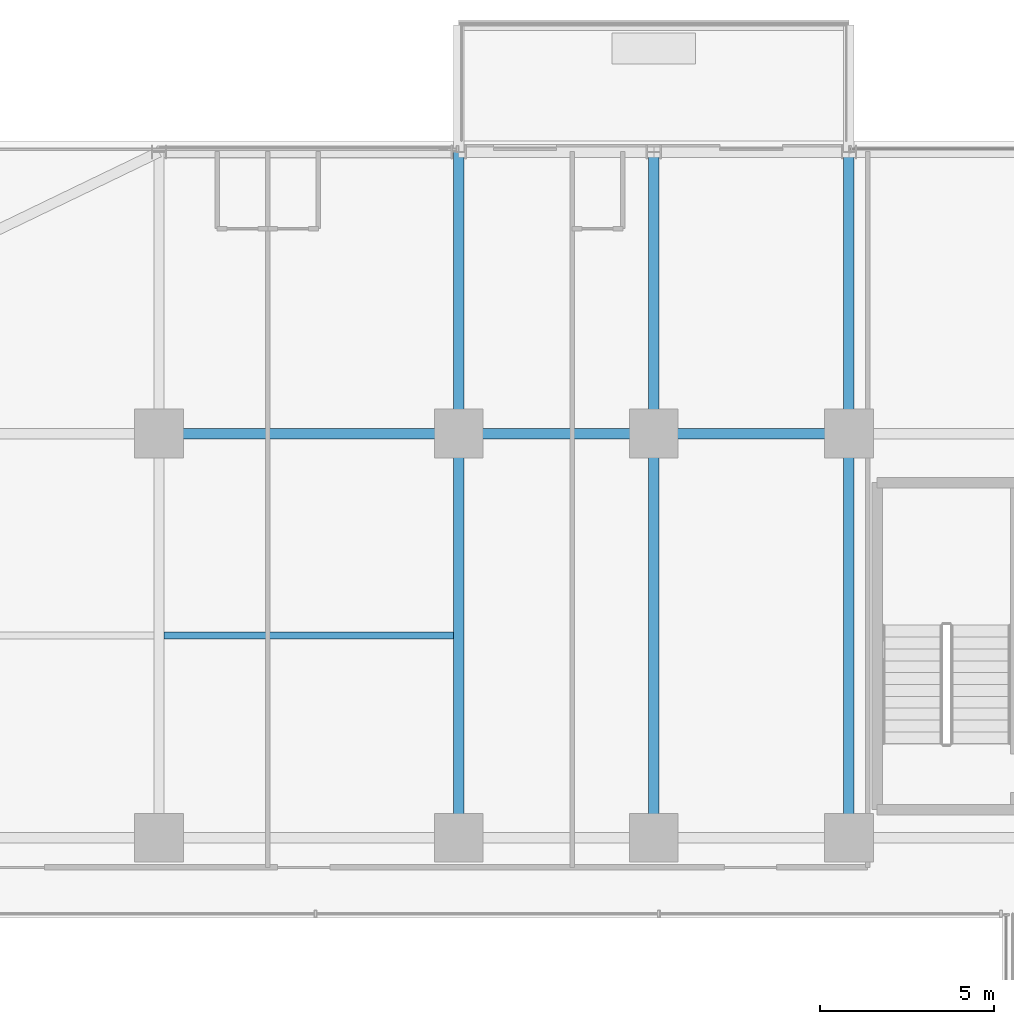
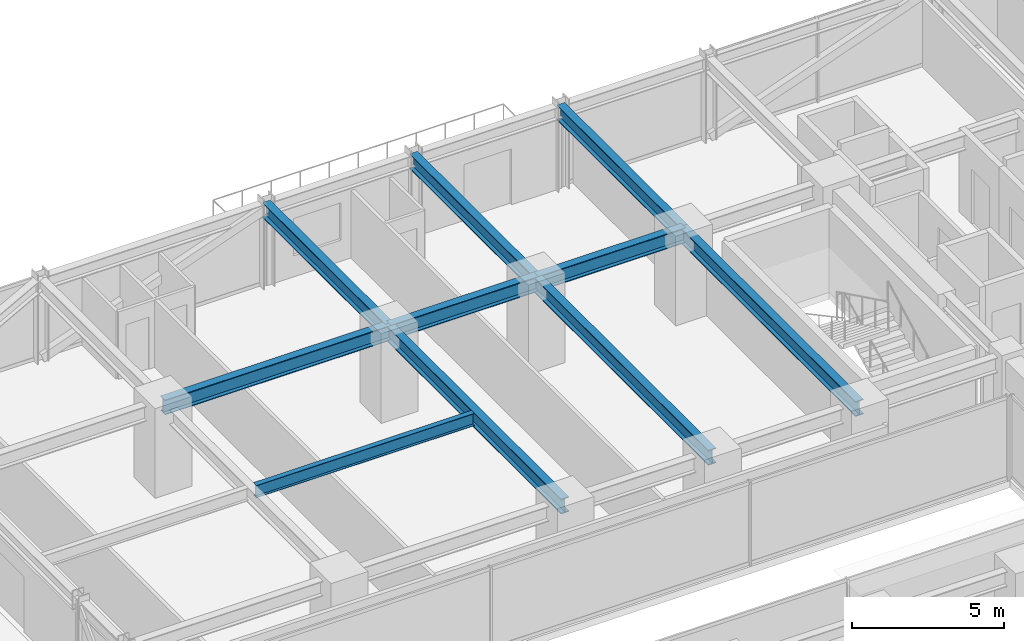
# One storey, part 23 of 43: 10 beams.
"""IFC4 building model written with IfcOpenShell, lengths in metres."""

from ifc_helpers import new_model, si_unit, direction, frame, origin, origin_2d, place, context, subcontext, project, spatial, i_section, extrude, source, transform, mapped, material, material_profile, profile_set, type_object, element, save


model = new_model("IFC4")

# Units and contexts
model_context = context("Model", 3, precision=1e-05, world=origin(), true_north=direction((0.0, 1.0)))
body_context = subcontext(model_context, "Body", "Model", "MODEL_VIEW")
ifc_project = project(units=[si_unit("LENGTHUNIT", "METRE"), si_unit("AREAUNIT", "SQUARE_METRE"), si_unit("VOLUMEUNIT", "CUBIC_METRE"), si_unit("PLANEANGLEUNIT", "RADIAN"), si_unit("MASSUNIT", "GRAM", prefix="KILO")], contexts=[model_context])

# Site, building, storey
site_placement = place(None, origin())
site = spatial("IfcSite", under=ifc_project, at=site_placement, CompositionType="ELEMENT")
building_placement = place(site_placement, origin())
building = spatial("IfcBuilding", under=site, at=building_placement, Name="Nahalor Promenade Grand Hotel", CompositionType="ELEMENT")
storey_placement = place(building_placement, frame((0.0, 0.0, 47.0)))
storey = spatial("IfcBuildingStorey", under=building, at=storey_placement, Name="L10", CompositionType="ELEMENT", Elevation=47.0)

# Beams
ifc_material = material(Name="Steel S355JR", Category="steel")
ifc_material_profile_1 = material_profile(ifc_material, i_section(OverallWidth=0.3, OverallDepth=0.6, WebThickness=0.0155, FlangeThickness=0.03, at=origin_2d()), Name="HEB 600")
ifc_profile_set_1 = profile_set([ifc_material_profile_1], Name="Steel S355JR")
beam_type_1 = type_object("IfcBeamType", Name="Beam-Girder-HEB600", PredefinedType="BEAM", material=ifc_profile_set_1)
shared_shape_1 = source(origin(), body_context, "Body", "SweptSolid", [
    extrude(i_section(OverallWidth=0.3, OverallDepth=0.6, WebThickness=0.0155, FlangeThickness=0.03, at=origin_2d()), origin(), (0.0, 0.0, 1.0), 8.60009765625),
])
beam_1_placement = place(storey_placement, frame((-17.0, 17.0, 3.070068359375), z_axis=(1.0, 0.0, 0.0), x_axis=(0.0, 1.0, 0.0)))
element("IfcBeam", 1, at=beam_1_placement, inside=storey, type_object=beam_type_1, Name="BM-L10-GX-3-1", PredefinedType="BEAM", context=body_context, shape_type="MappedRepresentation", body=[
    mapped(shared_shape_1, transform((0.0, 0.0, 0.0), scale=1.0)),
])
shared_shape_2 = source(origin(), body_context, "Body", "SweptSolid", [
    extrude(i_section(OverallWidth=0.3, OverallDepth=0.6, WebThickness=0.0155, FlangeThickness=0.03, at=origin_2d()), origin(), (0.0, 0.0, 1.0), 5.599853515625),
])
beam_2_placement = place(storey_placement, frame((-8.39990234375, 17.0, 3.070068359375), z_axis=(1.0, 0.0, 0.0), x_axis=(0.0, 1.0, 0.0)))
element("IfcBeam", 2, at=beam_2_placement, inside=storey, type_object=beam_type_1, Name="BM-L10-GX-3-2", PredefinedType="BEAM", context=body_context, shape_type="MappedRepresentation", body=[
    mapped(shared_shape_2, transform((0.0, 0.0, 0.0), scale=1.0)),
])
shared_shape_3 = source(origin(), body_context, "Body", "SweptSolid", [
    extrude(i_section(OverallWidth=0.3, OverallDepth=0.6, WebThickness=0.0155, FlangeThickness=0.03, at=origin_2d()), origin(), (0.0, 0.0, 1.0), 5.60009765625),
])
beam_3_placement = place(storey_placement, frame((-2.800048828125, 17.0, 3.070068359375), z_axis=(1.0, 0.0, 0.0), x_axis=(0.0, 1.0, 0.0)))
element("IfcBeam", 3, at=beam_3_placement, inside=storey, type_object=beam_type_1, Name="BM-L10-GX-3-3", PredefinedType="BEAM", context=body_context, shape_type="MappedRepresentation", body=[
    mapped(shared_shape_3, transform((0.0, 0.0, 0.0), scale=1.0)),
])
shared_shape_4 = source(origin(), body_context, "Body", "SweptSolid", [
    extrude(i_section(OverallWidth=0.3, OverallDepth=0.6, WebThickness=0.0155, FlangeThickness=0.03, at=origin_2d()), origin(), (0.0, 0.0, 1.0), 11.60009765625),
])
for number, where, z_axis, x_axis, name in (
    (4, (-8.39990234375, 5.39990234375, 3.070068359375), (0.0, 1.0, 0.0), (-1.0, 0.0, 0.0), "BM-L10-GY-1-3"),
    (5, (-2.800048828125, 5.39990234375, 3.070068359375), (0.0, 1.0, 0.0), (-1.0, 0.0, 0.0), "BM-L10-GY-2-3"),
    (6, (2.800048828125, 5.39990234375, 3.070068359375), (0.0, 1.0, 0.0), (-1.0, 0.0, 0.0), "BM-L10-GY-3-3"),
):
    element("IfcBeam", number, at=place(storey_placement, frame(where, z_axis=z_axis, x_axis=x_axis)), inside=storey, type_object=beam_type_1, Name=name, PredefinedType="BEAM", context=body_context, shape_type="MappedRepresentation", body=[
        mapped(shared_shape_4, transform((0.0, 0.0, 0.0), scale=1.0)),
    ])
ifc_material_profile_2 = material_profile(ifc_material, i_section(OverallWidth=0.2, OverallDepth=0.5, WebThickness=0.0102, FlangeThickness=0.016, at=origin_2d()), Name="IPE 500")
ifc_profile_set_2 = profile_set([ifc_material_profile_2], Name="Steel S355JR")
beam_type_2 = type_object("IfcBeamType", Name="Beam-Joist-IPE500", PredefinedType="JOIST", material=ifc_profile_set_2)
shared_shape_5 = source(origin(), body_context, "Body", "SweptSolid", [
    extrude(i_section(OverallWidth=0.2, OverallDepth=0.5, WebThickness=0.0102, FlangeThickness=0.016, at=origin_2d()), origin(), (0.0, 0.0, 1.0), 8.300048828125),
])
beam_4_placement = place(storey_placement, frame((-16.85009765625, 11.199951171875, 3.1201171875), z_axis=(1.0, 0.0, 0.0), x_axis=(0.0, 1.0, 0.0)))
element("IfcBeam", 7, at=beam_4_placement, inside=storey, type_object=beam_type_2, Name="BM-L10-JSW-1-1", PredefinedType="JOIST", context=body_context, shape_type="MappedRepresentation", body=[
    mapped(shared_shape_5, transform((0.0, 0.0, 0.0), scale=1.0)),
])
shared_shape_6 = source(origin(), body_context, "Body", "SweptSolid", [
    extrude(i_section(OverallWidth=0.3, OverallDepth=0.6, WebThickness=0.0155, FlangeThickness=0.03, at=origin_2d()), origin(), (0.0, 0.0, 1.0), 8.080078125),
])
for number, where, z_axis, x_axis, name in (
    (8, (-8.39990234375, 17.0, 3.070068359375), (0.0, 1.0, 0.0), (-1.0, 0.0, 0.0), "BM-L10-GY-1-4"),
    (9, (-2.800048828125, 17.0, 3.070068359375), (0.0, 1.0, 0.0), (-1.0, 0.0, 0.0), "BM-L10-GY-2-4"),
    (10, (2.800048828125, 17.0, 3.070068359375), (0.0, 1.0, 0.0), (-1.0, 0.0, 0.0), "BM-L10-GY-3-4"),
):
    element("IfcBeam", number, at=place(storey_placement, frame(where, z_axis=z_axis, x_axis=x_axis)), inside=storey, type_object=beam_type_1, Name=name, PredefinedType="BEAM", context=body_context, shape_type="MappedRepresentation", body=[
        mapped(shared_shape_6, transform((0.0, 0.0, 0.0), scale=1.0)),
    ])

save(model, "model.ifc")
